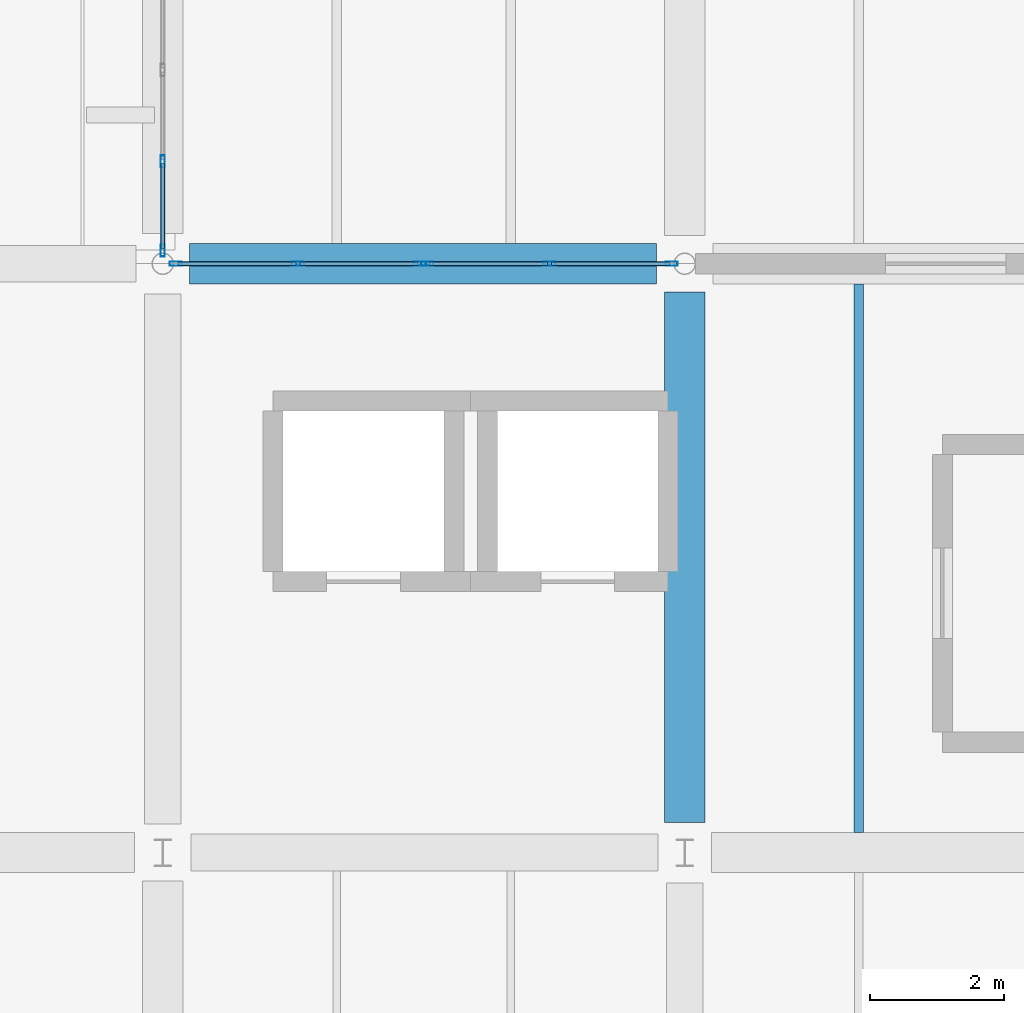
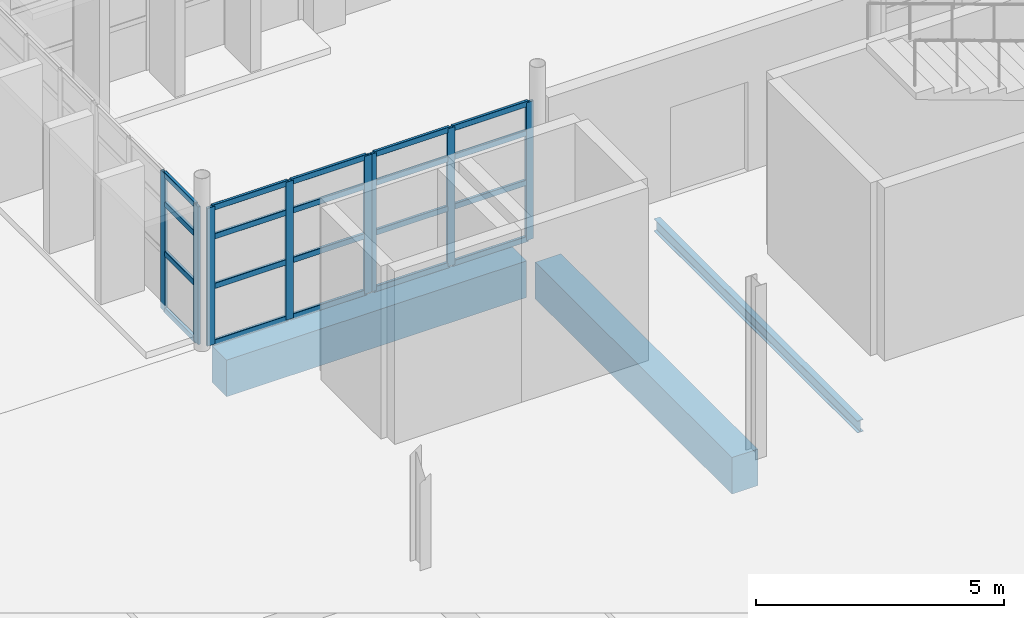
# One storey, part 11 of 76: 28 members, 3 beams, 3 elements without a shape of their own.
"""IFC4 building model written with IfcOpenShell, lengths in metres."""

from ifc_helpers import new_model, si_unit, direction, frame, origin, origin_2d, place, context, subcontext, project, spatial, rectangle, hollow_rectangle, i_section, extrude, material, material_profile, profile_set, type_object, element, aggregate, save


model = new_model("IFC4")

# Units and contexts
model_context = context("Model", 3, precision=1e-05, world=origin(), true_north=direction((0.0, 1.0)))
body_context = subcontext(model_context, "Body", "Model", "MODEL_VIEW")
ifc_project = project(units=[si_unit("LENGTHUNIT", "METRE"), si_unit("AREAUNIT", "SQUARE_METRE"), si_unit("VOLUMEUNIT", "CUBIC_METRE"), si_unit("PLANEANGLEUNIT", "RADIAN"), si_unit("MASSUNIT", "GRAM", prefix="KILO")], contexts=[model_context])

# Site, building, storey
site_placement = place(None, origin())
site = spatial("IfcSite", under=ifc_project, at=site_placement, CompositionType="ELEMENT")
building_placement = place(site_placement, origin())
building = spatial("IfcBuilding", under=site, at=building_placement, Name="Varnakota Cinema and Media Centre", CompositionType="ELEMENT")
storey_placement = place(building_placement, origin())
storey = spatial("IfcBuildingStorey", under=building, at=storey_placement, Name="L00", CompositionType="ELEMENT", Elevation=0.0)

# Beams
ifc_material_1 = material(Name="Concrete M40", Category="concrete")
ifc_material_profile_1 = material_profile(ifc_material_1, rectangle(XDim=0.60009765625, YDim=0.89990234375, at=origin_2d()), Name="RCB 600x900")
ifc_profile_set_1 = profile_set([ifc_material_profile_1], Name="Concrete M40")
beam_type_1 = type_object("IfcBeamType", Name="BM-RC-600x900", PredefinedType="BEAM", material=ifc_profile_set_1)
beam_1_placement = place(storey_placement, frame((52.0, 26.39990234375, -0.72998046875), z_axis=(1.0, 0.0, 0.0), x_axis=(0.0, 1.0, 0.0)))
element("IfcBeam", 1, at=beam_1_placement, inside=storey, type_object=beam_type_1, Name="L00 girder G-H/4", PredefinedType="BEAM", context=body_context, shape_type="SweptSolid", body=[
    extrude(rectangle(XDim=0.60009765625, YDim=0.89990234375, at=origin_2d()), origin(), (0.0, 0.0, 1.0), 6.97509765625),
])
beam_2_placement = place(storey_placement, frame((59.39990234375, 18.050048828125, -0.72998046875), z_axis=(0.0, 1.0, 0.0), x_axis=(-1.0, 0.0, 0.0)))
element("IfcBeam", 2, at=beam_2_placement, inside=storey, type_object=beam_type_1, Name="L00 girder H/3-4", PredefinedType="BEAM", context=body_context, shape_type="SweptSolid", body=[
    extrude(rectangle(XDim=0.60009765625, YDim=0.89990234375, at=origin_2d()), origin(), (0.0, 0.0, 1.0), 7.925048828125),
])
ifc_material_2 = material(Name="Structural steel Grade 350 (E350)", Category="steel")
ifc_material_profile_2 = material_profile(ifc_material_2, i_section(OverallWidth=0.139892578125, OverallDepth=0.300048828125, WebThickness=0.0078125, FlangeThickness=0.01318359375, FilletRadius=0.013916015625, at=origin_2d()), Name="ISMB 300")
ifc_profile_set_2 = profile_set([ifc_material_profile_2], Name="Structural steel Grade 350 (E350)")
beam_type_2 = type_object("IfcBeamType", Name="BM-ST-ISMB300", PredefinedType="JOIST", material=ifc_profile_set_2)
beam_3_placement = place(storey_placement, frame((62.0, 17.89990234375, -0.429931640625), z_axis=(0.0, 1.0, 0.0), x_axis=(-1.0, 0.0, 0.0)))
element("IfcBeam", 3, at=beam_3_placement, inside=storey, type_object=beam_type_2, Name="L00 steel joist H-J/3-4 #1", PredefinedType="JOIST", context=body_context, shape_type="SweptSolid", body=[
    extrude(i_section(OverallWidth=0.139892578125, OverallDepth=0.300048828125, WebThickness=0.0078125, FlangeThickness=0.01318359375, FilletRadius=0.013916015625, at=origin_2d()), origin(), (0.0, 0.0, 1.0), 8.2001953125),
])

# Curtain wall, members
ifc_material_3 = material(Name="Thermally broken anodised aluminium AW-6063", Category="aluminium")
curtain_wall_type_1 = type_object("IfcCurtainWallType", Name="CW-STD-372x338", PredefinedType="USERDEFINED", material=ifc_material_3)
curtain_wall_1_placement = place(storey_placement, origin())
curtain_wall_1 = element("IfcCurtainWall", 4, at=curtain_wall_1_placement, inside=storey, type_object=curtain_wall_type_1, Name="L00 curtain wall CW-L00-V6-N-01-1", ObjectType="UNITISED CURTAIN WALL", PredefinedType="USERDEFINED")
ifc_material_4 = material(Name="Thermally broken anodised aluminium AW-6063", Category="aluminium")
ifc_material_profile_3 = material_profile(ifc_material_4, hollow_rectangle(XDim=0.06494140625, YDim=0.179931640625, WallThickness=0.00390625, InnerFilletRadius=0.00390625, OuterFilletRadius=0.008056640625, at=origin_2d()), Name="AL-MULLION 180x65x4")
ifc_profile_set_3 = profile_set([ifc_material_profile_3], Name="Thermally broken anodised aluminium AW-6063")
member_type_1 = type_object("IfcMemberType", Name="CWM-AL-180", PredefinedType="MULLION", material=ifc_profile_set_3)
member_1_placement = place(storey_placement, frame((51.79443359375, 26.39990234375, 0.0), z_axis=(0.0, 0.0, 1.0), x_axis=(0.0, 1.0, 0.0)))
member_1 = element("IfcMember", 5, at=member_1_placement, type_object=member_type_1, Name="CW09 mullion 1", PredefinedType="MULLION", context=body_context, shape_type="SweptSolid", body=[
    extrude(hollow_rectangle(XDim=0.06494140625, YDim=0.179931640625, WallThickness=0.00390625, InnerFilletRadius=0.00390625, OuterFilletRadius=0.008056640625, at=origin_2d()), origin(), (0.0, 0.0, 1.0), 3.385009765625),
])
member_2_placement = place(storey_placement, frame((53.620849609375, 26.39990234375, 0.0), z_axis=(0.0, 0.0, 1.0), x_axis=(0.0, 1.0, 0.0)))
member_2 = element("IfcMember", 6, at=member_2_placement, type_object=member_type_1, Name="CW09 mullion 2", PredefinedType="MULLION", context=body_context, shape_type="SweptSolid", body=[
    extrude(hollow_rectangle(XDim=0.06494140625, YDim=0.179931640625, WallThickness=0.00390625, InnerFilletRadius=0.00390625, OuterFilletRadius=0.008056640625, at=origin_2d()), origin(), (0.0, 0.0, 1.0), 3.385009765625),
])
member_3_placement = place(storey_placement, frame((55.447509765625, 26.39990234375, 0.0), z_axis=(0.0, 0.0, 1.0), x_axis=(0.0, 1.0, 0.0)))
member_3 = element("IfcMember", 7, at=member_3_placement, type_object=member_type_1, Name="CW09 mullion 3", PredefinedType="MULLION", context=body_context, shape_type="SweptSolid", body=[
    extrude(hollow_rectangle(XDim=0.06494140625, YDim=0.179931640625, WallThickness=0.00390625, InnerFilletRadius=0.00390625, OuterFilletRadius=0.008056640625, at=origin_2d()), origin(), (0.0, 0.0, 1.0), 3.385009765625),
])

curtain_wall_2_placement = place(storey_placement, origin())
curtain_wall_2 = element("IfcCurtainWall", 8, at=curtain_wall_2_placement, inside=storey, type_object=curtain_wall_type_1, Name="L00 curtain wall CW-L00-V6-N-01-2", ObjectType="UNITISED CURTAIN WALL", PredefinedType="USERDEFINED")
member_4_placement = place(storey_placement, frame((55.552490234375, 26.39990234375, 0.0), z_axis=(0.0, 0.0, 1.0), x_axis=(0.0, 1.0, 0.0)))
member_4 = element("IfcMember", 9, at=member_4_placement, type_object=member_type_1, Name="CW09 mullion 1", PredefinedType="MULLION", context=body_context, shape_type="SweptSolid", body=[
    extrude(hollow_rectangle(XDim=0.06494140625, YDim=0.179931640625, WallThickness=0.00390625, InnerFilletRadius=0.00390625, OuterFilletRadius=0.008056640625, at=origin_2d()), origin(), (0.0, 0.0, 1.0), 3.385009765625),
])
member_5_placement = place(storey_placement, frame((57.379150390625, 26.39990234375, 0.0), z_axis=(0.0, 0.0, 1.0), x_axis=(0.0, 1.0, 0.0)))
member_5 = element("IfcMember", 10, at=member_5_placement, type_object=member_type_1, Name="CW09 mullion 2", PredefinedType="MULLION", context=body_context, shape_type="SweptSolid", body=[
    extrude(hollow_rectangle(XDim=0.06494140625, YDim=0.179931640625, WallThickness=0.00390625, InnerFilletRadius=0.00390625, OuterFilletRadius=0.008056640625, at=origin_2d()), origin(), (0.0, 0.0, 1.0), 3.385009765625),
])
member_6_placement = place(storey_placement, frame((59.20556640625, 26.39990234375, 0.0), z_axis=(0.0, 0.0, 1.0), x_axis=(0.0, 1.0, 0.0)))
member_6 = element("IfcMember", 11, at=member_6_placement, type_object=member_type_1, Name="CW09 mullion 3", PredefinedType="MULLION", context=body_context, shape_type="SweptSolid", body=[
    extrude(hollow_rectangle(XDim=0.06494140625, YDim=0.179931640625, WallThickness=0.00390625, InnerFilletRadius=0.00390625, OuterFilletRadius=0.008056640625, at=origin_2d()), origin(), (0.0, 0.0, 1.0), 3.385009765625),
])

ifc_material_5 = material(Name="Thermally broken anodised aluminium AW-6063", Category="aluminium")
curtain_wall_type_2 = type_object("IfcCurtainWallType", Name="CW-STD-410x338", PredefinedType="USERDEFINED", material=ifc_material_5)
curtain_wall_3_placement = place(storey_placement, origin())
curtain_wall_3 = element("IfcCurtainWall", 12, at=curtain_wall_3_placement, inside=storey, type_object=curtain_wall_type_2, Name="L00 curtain wall CW-L00-WLINK-E-01-1", ObjectType="UNITISED CURTAIN WALL", PredefinedType="USERDEFINED")
member_7_placement = place(storey_placement, frame((51.60009765625, 26.594482421875, 0.0), z_axis=(0.0, 0.0, 1.0), x_axis=(-1.0, 0.0, 0.0)))
member_7 = element("IfcMember", 13, at=member_7_placement, type_object=member_type_1, Name="CW13 mullion 1", PredefinedType="MULLION", context=body_context, shape_type="SweptSolid", body=[
    extrude(hollow_rectangle(XDim=0.06494140625, YDim=0.179931640625, WallThickness=0.00390625, InnerFilletRadius=0.00390625, OuterFilletRadius=0.008056640625, at=origin_2d()), origin(), (0.0, 0.0, 1.0), 3.385009765625),
])
member_8_placement = place(storey_placement, frame((51.60009765625, 27.92822265625, 0.0), z_axis=(0.0, 0.0, 1.0), x_axis=(-1.0, 0.0, 0.0)))
member_8 = element("IfcMember", 14, at=member_8_placement, type_object=member_type_1, Name="CW13 mullion 2", PredefinedType="MULLION", context=body_context, shape_type="SweptSolid", body=[
    extrude(hollow_rectangle(XDim=0.06494140625, YDim=0.179931640625, WallThickness=0.00390625, InnerFilletRadius=0.00390625, OuterFilletRadius=0.008056640625, at=origin_2d()), origin(), (0.0, 0.0, 1.0), 3.385009765625),
])

# Member
ifc_material_6 = material(Name="Thermally broken anodised aluminium AW-6063", Category="aluminium")
ifc_material_profile_4 = material_profile(ifc_material_6, hollow_rectangle(XDim=0.06494140625, YDim=0.139892578125, WallThickness=0.00390625, InnerFilletRadius=0.00390625, OuterFilletRadius=0.008056640625, at=origin_2d()), Name="AL-TRANSOM 140x65x4")
ifc_profile_set_4 = profile_set([ifc_material_profile_4], Name="Thermally broken anodised aluminium AW-6063")
member_type_2 = type_object("IfcMemberType", Name="CWT-AL-140", PredefinedType="USERDEFINED", material=ifc_profile_set_4)
member_9_placement = place(storey_placement, frame((51.826904296875, 26.39990234375, 0.032470703125), z_axis=(1.0, 0.0, 0.0), x_axis=(0.0, 1.0, 0.0)))
member_9 = element("IfcMember", 15, at=member_9_placement, type_object=member_type_2, Name="CW09 transom 1.1", ObjectType="TRANSOM", PredefinedType="USERDEFINED", context=body_context, shape_type="SweptSolid", body=[
    extrude(hollow_rectangle(XDim=0.06494140625, YDim=0.139892578125, WallThickness=0.00390625, InnerFilletRadius=0.00390625, OuterFilletRadius=0.008056640625, at=origin_2d()), origin(), (0.0, 0.0, 1.0), 1.761474609375),
])

member_10_placement = place(storey_placement, frame((51.826904296875, 26.39990234375, 1.421630859375), z_axis=(1.0, 0.0, 0.0), x_axis=(0.0, 1.0, 0.0)))
member_10 = element("IfcMember", 16, at=member_10_placement, type_object=member_type_2, Name="CW09 transom 1.2", ObjectType="TRANSOM", PredefinedType="USERDEFINED", context=body_context, shape_type="SweptSolid", body=[
    extrude(hollow_rectangle(XDim=0.06494140625, YDim=0.139892578125, WallThickness=0.00390625, InnerFilletRadius=0.00390625, OuterFilletRadius=0.008056640625, at=origin_2d()), origin(), (0.0, 0.0, 1.0), 1.761474609375),
])

member_11_placement = place(storey_placement, frame((51.826904296875, 26.39990234375, 2.640380859375), z_axis=(1.0, 0.0, 0.0), x_axis=(0.0, 1.0, 0.0)))
member_11 = element("IfcMember", 17, at=member_11_placement, type_object=member_type_2, Name="CW09 transom 1.3", ObjectType="TRANSOM", PredefinedType="USERDEFINED", context=body_context, shape_type="SweptSolid", body=[
    extrude(hollow_rectangle(XDim=0.06494140625, YDim=0.139892578125, WallThickness=0.00390625, InnerFilletRadius=0.00390625, OuterFilletRadius=0.008056640625, at=origin_2d()), origin(), (0.0, 0.0, 1.0), 1.761474609375),
])

member_12_placement = place(storey_placement, frame((51.826904296875, 26.39990234375, 3.3525390625), z_axis=(1.0, 0.0, 0.0), x_axis=(0.0, 1.0, 0.0)))
member_12 = element("IfcMember", 18, at=member_12_placement, type_object=member_type_2, Name="CW09 transom 1.4", ObjectType="TRANSOM", PredefinedType="USERDEFINED", context=body_context, shape_type="SweptSolid", body=[
    extrude(hollow_rectangle(XDim=0.06494140625, YDim=0.139892578125, WallThickness=0.00390625, InnerFilletRadius=0.00390625, OuterFilletRadius=0.008056640625, at=origin_2d()), origin(), (0.0, 0.0, 1.0), 1.761474609375),
])

member_13_placement = place(storey_placement, frame((53.653564453125, 26.39990234375, 0.032470703125), z_axis=(1.0, 0.0, 0.0), x_axis=(0.0, 1.0, 0.0)))
member_13 = element("IfcMember", 19, at=member_13_placement, type_object=member_type_2, Name="CW09 transom 2.1", ObjectType="TRANSOM", PredefinedType="USERDEFINED", context=body_context, shape_type="SweptSolid", body=[
    extrude(hollow_rectangle(XDim=0.06494140625, YDim=0.139892578125, WallThickness=0.00390625, InnerFilletRadius=0.00390625, OuterFilletRadius=0.008056640625, at=origin_2d()), origin(), (0.0, 0.0, 1.0), 1.761474609375),
])

member_14_placement = place(storey_placement, frame((53.653564453125, 26.39990234375, 1.421630859375), z_axis=(1.0, 0.0, 0.0), x_axis=(0.0, 1.0, 0.0)))
member_14 = element("IfcMember", 20, at=member_14_placement, type_object=member_type_2, Name="CW09 transom 2.2", ObjectType="TRANSOM", PredefinedType="USERDEFINED", context=body_context, shape_type="SweptSolid", body=[
    extrude(hollow_rectangle(XDim=0.06494140625, YDim=0.139892578125, WallThickness=0.00390625, InnerFilletRadius=0.00390625, OuterFilletRadius=0.008056640625, at=origin_2d()), origin(), (0.0, 0.0, 1.0), 1.761474609375),
])

member_15_placement = place(storey_placement, frame((53.653564453125, 26.39990234375, 2.640380859375), z_axis=(1.0, 0.0, 0.0), x_axis=(0.0, 1.0, 0.0)))
member_15 = element("IfcMember", 21, at=member_15_placement, type_object=member_type_2, Name="CW09 transom 2.3", ObjectType="TRANSOM", PredefinedType="USERDEFINED", context=body_context, shape_type="SweptSolid", body=[
    extrude(hollow_rectangle(XDim=0.06494140625, YDim=0.139892578125, WallThickness=0.00390625, InnerFilletRadius=0.00390625, OuterFilletRadius=0.008056640625, at=origin_2d()), origin(), (0.0, 0.0, 1.0), 1.761474609375),
])

member_16_placement = place(storey_placement, frame((53.653564453125, 26.39990234375, 3.3525390625), z_axis=(1.0, 0.0, 0.0), x_axis=(0.0, 1.0, 0.0)))
member_16 = element("IfcMember", 22, at=member_16_placement, type_object=member_type_2, Name="CW09 transom 2.4", ObjectType="TRANSOM", PredefinedType="USERDEFINED", context=body_context, shape_type="SweptSolid", body=[
    extrude(hollow_rectangle(XDim=0.06494140625, YDim=0.139892578125, WallThickness=0.00390625, InnerFilletRadius=0.00390625, OuterFilletRadius=0.008056640625, at=origin_2d()), origin(), (0.0, 0.0, 1.0), 1.761474609375),
])

aggregate(curtain_wall_1, [member_1, member_2, member_3, member_9, member_10, member_11, member_12, member_13, member_14, member_15, member_16])

member_17_placement = place(storey_placement, frame((55.5849609375, 26.39990234375, 0.032470703125), z_axis=(1.0, 0.0, 0.0), x_axis=(0.0, 1.0, 0.0)))
member_17 = element("IfcMember", 23, at=member_17_placement, type_object=member_type_2, Name="CW09 transom 1.1", ObjectType="TRANSOM", PredefinedType="USERDEFINED", context=body_context, shape_type="SweptSolid", body=[
    extrude(hollow_rectangle(XDim=0.06494140625, YDim=0.139892578125, WallThickness=0.00390625, InnerFilletRadius=0.00390625, OuterFilletRadius=0.008056640625, at=origin_2d()), origin(), (0.0, 0.0, 1.0), 1.761474609375),
])

member_18_placement = place(storey_placement, frame((55.5849609375, 26.39990234375, 1.421630859375), z_axis=(1.0, 0.0, 0.0), x_axis=(0.0, 1.0, 0.0)))
member_18 = element("IfcMember", 24, at=member_18_placement, type_object=member_type_2, Name="CW09 transom 1.2", ObjectType="TRANSOM", PredefinedType="USERDEFINED", context=body_context, shape_type="SweptSolid", body=[
    extrude(hollow_rectangle(XDim=0.06494140625, YDim=0.139892578125, WallThickness=0.00390625, InnerFilletRadius=0.00390625, OuterFilletRadius=0.008056640625, at=origin_2d()), origin(), (0.0, 0.0, 1.0), 1.761474609375),
])

member_19_placement = place(storey_placement, frame((55.5849609375, 26.39990234375, 2.640380859375), z_axis=(1.0, 0.0, 0.0), x_axis=(0.0, 1.0, 0.0)))
member_19 = element("IfcMember", 25, at=member_19_placement, type_object=member_type_2, Name="CW09 transom 1.3", ObjectType="TRANSOM", PredefinedType="USERDEFINED", context=body_context, shape_type="SweptSolid", body=[
    extrude(hollow_rectangle(XDim=0.06494140625, YDim=0.139892578125, WallThickness=0.00390625, InnerFilletRadius=0.00390625, OuterFilletRadius=0.008056640625, at=origin_2d()), origin(), (0.0, 0.0, 1.0), 1.761474609375),
])

member_20_placement = place(storey_placement, frame((55.5849609375, 26.39990234375, 3.3525390625), z_axis=(1.0, 0.0, 0.0), x_axis=(0.0, 1.0, 0.0)))
member_20 = element("IfcMember", 26, at=member_20_placement, type_object=member_type_2, Name="CW09 transom 1.4", ObjectType="TRANSOM", PredefinedType="USERDEFINED", context=body_context, shape_type="SweptSolid", body=[
    extrude(hollow_rectangle(XDim=0.06494140625, YDim=0.139892578125, WallThickness=0.00390625, InnerFilletRadius=0.00390625, OuterFilletRadius=0.008056640625, at=origin_2d()), origin(), (0.0, 0.0, 1.0), 1.761474609375),
])

member_21_placement = place(storey_placement, frame((57.41162109375, 26.39990234375, 0.032470703125), z_axis=(1.0, 0.0, 0.0), x_axis=(0.0, 1.0, 0.0)))
member_21 = element("IfcMember", 27, at=member_21_placement, type_object=member_type_2, Name="CW09 transom 2.1", ObjectType="TRANSOM", PredefinedType="USERDEFINED", context=body_context, shape_type="SweptSolid", body=[
    extrude(hollow_rectangle(XDim=0.06494140625, YDim=0.139892578125, WallThickness=0.00390625, InnerFilletRadius=0.00390625, OuterFilletRadius=0.008056640625, at=origin_2d()), origin(), (0.0, 0.0, 1.0), 1.761474609375),
])

member_22_placement = place(storey_placement, frame((57.41162109375, 26.39990234375, 1.421630859375), z_axis=(1.0, 0.0, 0.0), x_axis=(0.0, 1.0, 0.0)))
member_22 = element("IfcMember", 28, at=member_22_placement, type_object=member_type_2, Name="CW09 transom 2.2", ObjectType="TRANSOM", PredefinedType="USERDEFINED", context=body_context, shape_type="SweptSolid", body=[
    extrude(hollow_rectangle(XDim=0.06494140625, YDim=0.139892578125, WallThickness=0.00390625, InnerFilletRadius=0.00390625, OuterFilletRadius=0.008056640625, at=origin_2d()), origin(), (0.0, 0.0, 1.0), 1.761474609375),
])

member_23_placement = place(storey_placement, frame((57.41162109375, 26.39990234375, 2.640380859375), z_axis=(1.0, 0.0, 0.0), x_axis=(0.0, 1.0, 0.0)))
member_23 = element("IfcMember", 29, at=member_23_placement, type_object=member_type_2, Name="CW09 transom 2.3", ObjectType="TRANSOM", PredefinedType="USERDEFINED", context=body_context, shape_type="SweptSolid", body=[
    extrude(hollow_rectangle(XDim=0.06494140625, YDim=0.139892578125, WallThickness=0.00390625, InnerFilletRadius=0.00390625, OuterFilletRadius=0.008056640625, at=origin_2d()), origin(), (0.0, 0.0, 1.0), 1.761474609375),
])

member_24_placement = place(storey_placement, frame((57.41162109375, 26.39990234375, 3.3525390625), z_axis=(1.0, 0.0, 0.0), x_axis=(0.0, 1.0, 0.0)))
member_24 = element("IfcMember", 30, at=member_24_placement, type_object=member_type_2, Name="CW09 transom 2.4", ObjectType="TRANSOM", PredefinedType="USERDEFINED", context=body_context, shape_type="SweptSolid", body=[
    extrude(hollow_rectangle(XDim=0.06494140625, YDim=0.139892578125, WallThickness=0.00390625, InnerFilletRadius=0.00390625, OuterFilletRadius=0.008056640625, at=origin_2d()), origin(), (0.0, 0.0, 1.0), 1.761474609375),
])

aggregate(curtain_wall_2, [member_4, member_5, member_6, member_17, member_18, member_19, member_20, member_21, member_22, member_23, member_24])

member_25_placement = place(storey_placement, frame((51.60009765625, 26.626953125, 0.032470703125), z_axis=(0.0, 1.0, 0.0), x_axis=(-1.0, 0.0, 0.0)))
member_25 = element("IfcMember", 31, at=member_25_placement, type_object=member_type_2, Name="CW13 transom 1.1", ObjectType="TRANSOM", PredefinedType="USERDEFINED", context=body_context, shape_type="SweptSolid", body=[
    extrude(hollow_rectangle(XDim=0.06494140625, YDim=0.139892578125, WallThickness=0.00390625, InnerFilletRadius=0.00390625, OuterFilletRadius=0.008056640625, at=origin_2d()), origin(), (0.0, 0.0, 1.0), 1.268798828125),
])

member_26_placement = place(storey_placement, frame((51.60009765625, 26.626953125, 1.421630859375), z_axis=(0.0, 1.0, 0.0), x_axis=(-1.0, 0.0, 0.0)))
member_26 = element("IfcMember", 32, at=member_26_placement, type_object=member_type_2, Name="CW13 transom 1.2", ObjectType="TRANSOM", PredefinedType="USERDEFINED", context=body_context, shape_type="SweptSolid", body=[
    extrude(hollow_rectangle(XDim=0.06494140625, YDim=0.139892578125, WallThickness=0.00390625, InnerFilletRadius=0.00390625, OuterFilletRadius=0.008056640625, at=origin_2d()), origin(), (0.0, 0.0, 1.0), 1.268798828125),
])

member_27_placement = place(storey_placement, frame((51.60009765625, 26.626953125, 2.640380859375), z_axis=(0.0, 1.0, 0.0), x_axis=(-1.0, 0.0, 0.0)))
member_27 = element("IfcMember", 33, at=member_27_placement, type_object=member_type_2, Name="CW13 transom 1.3", ObjectType="TRANSOM", PredefinedType="USERDEFINED", context=body_context, shape_type="SweptSolid", body=[
    extrude(hollow_rectangle(XDim=0.06494140625, YDim=0.139892578125, WallThickness=0.00390625, InnerFilletRadius=0.00390625, OuterFilletRadius=0.008056640625, at=origin_2d()), origin(), (0.0, 0.0, 1.0), 1.268798828125),
])

member_28_placement = place(storey_placement, frame((51.60009765625, 26.626953125, 3.3525390625), z_axis=(0.0, 1.0, 0.0), x_axis=(-1.0, 0.0, 0.0)))
member_28 = element("IfcMember", 34, at=member_28_placement, type_object=member_type_2, Name="CW13 transom 1.4", ObjectType="TRANSOM", PredefinedType="USERDEFINED", context=body_context, shape_type="SweptSolid", body=[
    extrude(hollow_rectangle(XDim=0.06494140625, YDim=0.139892578125, WallThickness=0.00390625, InnerFilletRadius=0.00390625, OuterFilletRadius=0.008056640625, at=origin_2d()), origin(), (0.0, 0.0, 1.0), 1.268798828125),
])

aggregate(curtain_wall_3, [member_7, member_8, member_25, member_26, member_27, member_28])

save(model, "model.ifc")
